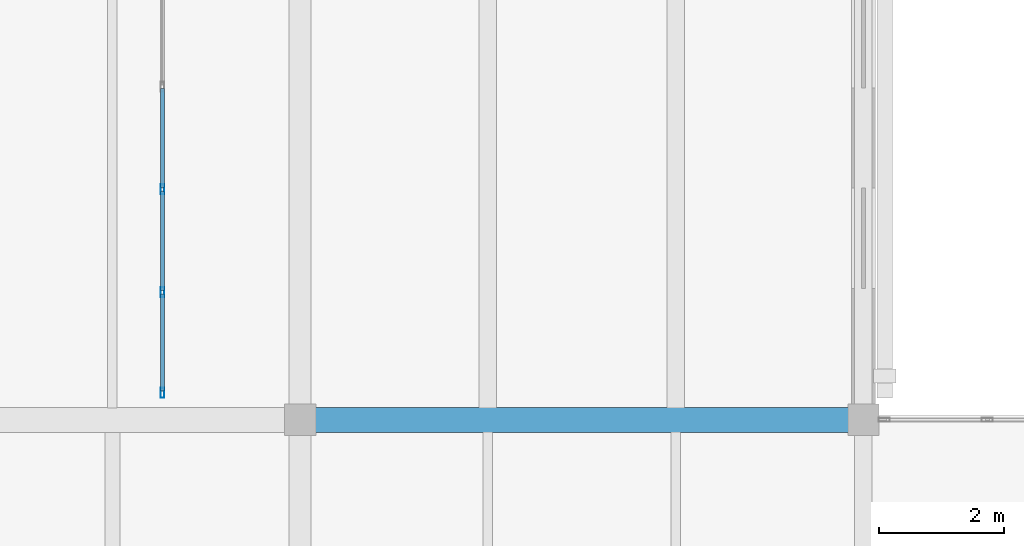
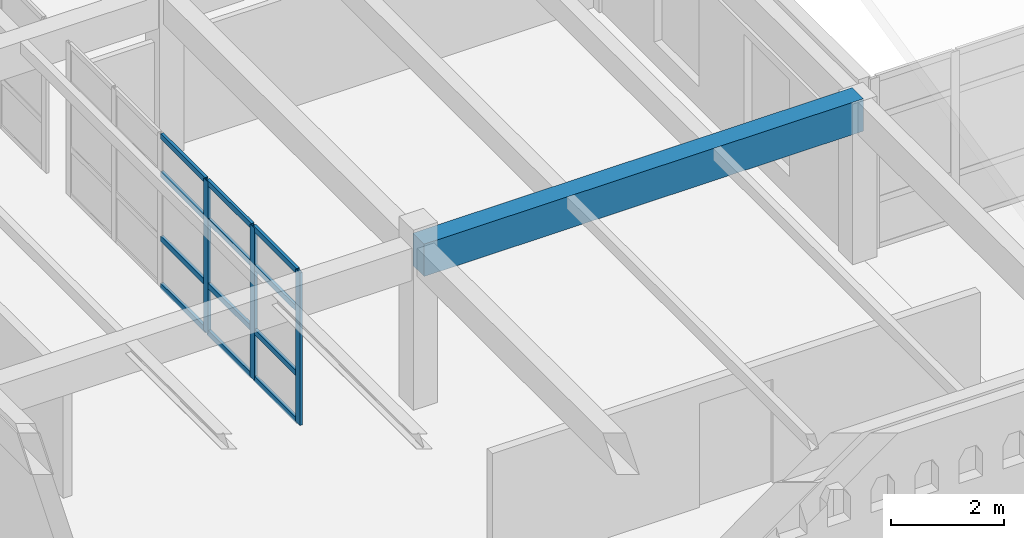
# One storey, part 6 of 156: 15 members, 1 beam, 1 element without a shape of its own.
"""IFC4 building model written with IfcOpenShell, lengths in metres."""

from ifc_helpers import new_model, si_unit, direction, frame, origin, origin_2d, place, context, subcontext, project, spatial, rectangle, hollow_rectangle, extrude, material, layer, layer_set, material_profile, profile_set, type_object, element, aggregate, save


model = new_model("IFC4")

# Units and contexts
model_context = context("Model", 3, precision=1e-05, world=origin(), true_north=direction((0.0, 1.0)))
body_context = subcontext(model_context, "Body", "Model", "MODEL_VIEW")
ifc_project = project(units=[si_unit("LENGTHUNIT", "METRE"), si_unit("AREAUNIT", "SQUARE_METRE"), si_unit("VOLUMEUNIT", "CUBIC_METRE"), si_unit("PLANEANGLEUNIT", "RADIAN"), si_unit("MASSUNIT", "GRAM", prefix="KILO")], contexts=[model_context])

# Site, building, storey
site_placement = place(None, origin())
site = spatial("IfcSite", under=ifc_project, at=site_placement, CompositionType="ELEMENT")
building_placement = place(site_placement, origin())
building = spatial("IfcBuilding", under=site, at=building_placement, Name="Ornek Quay Market", CompositionType="ELEMENT")
storey_placement = place(building_placement, frame((0.0, 0.0, 4.5)))
storey = spatial("IfcBuildingStorey", under=building, at=storey_placement, Name="L01", CompositionType="ELEMENT", Elevation=4.5)

# Beam
ifc_material_1 = material(Name="Concrete C35/45", Category="concrete")
ifc_material_profile_1 = material_profile(ifc_material_1, rectangle(XDim=0.39990234375, YDim=0.699951171875, at=origin_2d()), Name="RC 400x700", Category="concrete")
ifc_profile_set_1 = profile_set([ifc_material_profile_1], Name="Concrete C35/45")
beam_type = type_object("IfcBeamType", Name="BM-WW-400x700", PredefinedType="BEAM", material=ifc_profile_set_1)
beam_placement = place(storey_placement, frame((18.0, 29.0, 3.1298828125), z_axis=(1.0, 0.0, 0.0), x_axis=(0.0, 1.0, 0.0)))
element("IfcBeam", 1, at=beam_placement, inside=storey, type_object=beam_type, Name="Primary beam B-WW1-050", PredefinedType="BEAM", context=body_context, shape_type="SweptSolid", body=[
    extrude(rectangle(XDim=0.39990234375, YDim=0.699951171875, at=origin_2d()), origin(), (0.0, 0.0, 1.0), 9.0),
])

# Curtain wall, members
ifc_material_2 = material(Name="Anodised bronze aluminium and triple low-e glass", Category="aluminium")
ifc_layer = layer(ifc_material_2, 0.179931640625, Name="Anodised bronze aluminium and triple low-e glass", Category="aluminium")
ifc_layer_set = layer_set([ifc_layer], Name="Anodised bronze aluminium and triple low-e glass")
curtain_wall_type = type_object("IfcCurtainWallType", Name="CW-CONC-MOD1500", PredefinedType="USERDEFINED", material=ifc_layer_set)
curtain_wall_placement = place(storey_placement, origin())
curtain_wall = element("IfcCurtainWall", 2, at=curtain_wall_placement, inside=storey, type_object=curtain_wall_type, Name="Curtain wall CW-133", ObjectType="CURTAIN WALL", PredefinedType="USERDEFINED")
ifc_material_3 = material(Name="Anodised aluminium 6063-T6", Category="aluminium")
ifc_material_profile_2 = material_profile(ifc_material_3, hollow_rectangle(XDim=0.06005859375, YDim=0.159912109375, WallThickness=0.00390625, at=origin_2d()), Name="CW-MUL-60x160", Category="aluminium")
ifc_profile_set_2 = profile_set([ifc_material_profile_2], Name="Anodised aluminium 6063-T6")
member_type_1 = type_object("IfcMemberType", Name="CW-MUL-60x160", PredefinedType="MULLION", material=ifc_profile_set_2)
member_1_placement = place(storey_placement, frame((15.800048828125, 29.429931640625, 0.0), z_axis=(0.0, 0.0, 1.0), x_axis=(-1.0, 0.0, 0.0)))
member_1 = element("IfcMember", 3, at=member_1_placement, type_object=member_type_1, Name="CW-133 mullion 1", PredefinedType="MULLION", context=body_context, shape_type="SweptSolid", body=[
    extrude(hollow_rectangle(XDim=0.06005859375, YDim=0.159912109375, WallThickness=0.00390625, at=origin_2d()), origin(), (0.0, 0.0, 1.0), 3.300048828125),
])
member_2_placement = place(storey_placement, frame((15.800048828125, 31.0400390625, 0.0), z_axis=(0.0, 0.0, 1.0), x_axis=(-1.0, 0.0, 0.0)))
member_2 = element("IfcMember", 4, at=member_2_placement, type_object=member_type_1, Name="CW-133 mullion 2", PredefinedType="MULLION", context=body_context, shape_type="SweptSolid", body=[
    extrude(hollow_rectangle(XDim=0.06005859375, YDim=0.159912109375, WallThickness=0.00390625, at=origin_2d()), origin(), (0.0, 0.0, 1.0), 3.300048828125),
])
member_3_placement = place(storey_placement, frame((15.800048828125, 32.679931640625, 0.0), z_axis=(0.0, 0.0, 1.0), x_axis=(-1.0, 0.0, 0.0)))
member_3 = element("IfcMember", 5, at=member_3_placement, type_object=member_type_1, Name="CW-133 mullion 3", PredefinedType="MULLION", context=body_context, shape_type="SweptSolid", body=[
    extrude(hollow_rectangle(XDim=0.06005859375, YDim=0.159912109375, WallThickness=0.00390625, at=origin_2d()), origin(), (0.0, 0.0, 1.0), 3.300048828125),
])
ifc_material_profile_3 = material_profile(ifc_material_3, hollow_rectangle(XDim=0.06005859375, YDim=0.1201171875, WallThickness=0.00390625, at=origin_2d()), Name="CW-TRN-60x120", Category="aluminium")
ifc_profile_set_3 = profile_set([ifc_material_profile_3], Name="Anodised aluminium 6063-T6")
member_type_2 = type_object("IfcMemberType", Name="CW-TRN-60x120", PredefinedType="USERDEFINED", material=ifc_profile_set_3)
member_4_placement = place(storey_placement, frame((15.800048828125, 29.4599609375, 0.030029296875), z_axis=(0.0, 1.0, 0.0), x_axis=(-1.0, 0.0, 0.0)))
member_4 = element("IfcMember", 6, at=member_4_placement, type_object=member_type_2, Name="CW-133 transom 1.1", ObjectType="TRANSOM", PredefinedType="USERDEFINED", context=body_context, shape_type="SweptSolid", body=[
    extrude(hollow_rectangle(XDim=0.06005859375, YDim=0.1201171875, WallThickness=0.00390625, at=origin_2d()), origin(), (0.0, 0.0, 1.0), 1.550048828125),
])
member_5_placement = place(storey_placement, frame((15.800048828125, 29.4599609375, 1.050048828125), z_axis=(0.0, 1.0, 0.0), x_axis=(-1.0, 0.0, 0.0)))
member_5 = element("IfcMember", 7, at=member_5_placement, type_object=member_type_2, Name="CW-133 transom 1.2", ObjectType="TRANSOM", PredefinedType="USERDEFINED", context=body_context, shape_type="SweptSolid", body=[
    extrude(hollow_rectangle(XDim=0.06005859375, YDim=0.1201171875, WallThickness=0.00390625, at=origin_2d()), origin(), (0.0, 0.0, 1.0), 1.550048828125),
])
member_6_placement = place(storey_placement, frame((15.800048828125, 29.4599609375, 2.449951171875), z_axis=(0.0, 1.0, 0.0), x_axis=(-1.0, 0.0, 0.0)))
member_6 = element("IfcMember", 8, at=member_6_placement, type_object=member_type_2, Name="CW-133 transom 1.3", ObjectType="TRANSOM", PredefinedType="USERDEFINED", context=body_context, shape_type="SweptSolid", body=[
    extrude(hollow_rectangle(XDim=0.06005859375, YDim=0.1201171875, WallThickness=0.00390625, at=origin_2d()), origin(), (0.0, 0.0, 1.0), 1.550048828125),
])
member_7_placement = place(storey_placement, frame((15.800048828125, 29.4599609375, 3.27001953125), z_axis=(0.0, 1.0, 0.0), x_axis=(-1.0, 0.0, 0.0)))
member_7 = element("IfcMember", 9, at=member_7_placement, type_object=member_type_2, Name="CW-133 transom 1.4", ObjectType="TRANSOM", PredefinedType="USERDEFINED", context=body_context, shape_type="SweptSolid", body=[
    extrude(hollow_rectangle(XDim=0.06005859375, YDim=0.1201171875, WallThickness=0.00390625, at=origin_2d()), origin(), (0.0, 0.0, 1.0), 1.550048828125),
])
member_8_placement = place(storey_placement, frame((15.800048828125, 31.070068359375, 0.030029296875), z_axis=(0.0, 1.0, 0.0), x_axis=(-1.0, 0.0, 0.0)))
member_8 = element("IfcMember", 10, at=member_8_placement, type_object=member_type_2, Name="CW-133 transom 2.1", ObjectType="TRANSOM", PredefinedType="USERDEFINED", context=body_context, shape_type="SweptSolid", body=[
    extrude(hollow_rectangle(XDim=0.06005859375, YDim=0.1201171875, WallThickness=0.00390625, at=origin_2d()), origin(), (0.0, 0.0, 1.0), 1.579833984375),
])
member_9_placement = place(storey_placement, frame((15.800048828125, 31.070068359375, 1.050048828125), z_axis=(0.0, 1.0, 0.0), x_axis=(-1.0, 0.0, 0.0)))
member_9 = element("IfcMember", 11, at=member_9_placement, type_object=member_type_2, Name="CW-133 transom 2.2", ObjectType="TRANSOM", PredefinedType="USERDEFINED", context=body_context, shape_type="SweptSolid", body=[
    extrude(hollow_rectangle(XDim=0.06005859375, YDim=0.1201171875, WallThickness=0.00390625, at=origin_2d()), origin(), (0.0, 0.0, 1.0), 1.579833984375),
])
member_10_placement = place(storey_placement, frame((15.800048828125, 31.070068359375, 2.449951171875), z_axis=(0.0, 1.0, 0.0), x_axis=(-1.0, 0.0, 0.0)))
member_10 = element("IfcMember", 12, at=member_10_placement, type_object=member_type_2, Name="CW-133 transom 2.3", ObjectType="TRANSOM", PredefinedType="USERDEFINED", context=body_context, shape_type="SweptSolid", body=[
    extrude(hollow_rectangle(XDim=0.06005859375, YDim=0.1201171875, WallThickness=0.00390625, at=origin_2d()), origin(), (0.0, 0.0, 1.0), 1.579833984375),
])
member_11_placement = place(storey_placement, frame((15.800048828125, 31.070068359375, 3.27001953125), z_axis=(0.0, 1.0, 0.0), x_axis=(-1.0, 0.0, 0.0)))
member_11 = element("IfcMember", 13, at=member_11_placement, type_object=member_type_2, Name="CW-133 transom 2.4", ObjectType="TRANSOM", PredefinedType="USERDEFINED", context=body_context, shape_type="SweptSolid", body=[
    extrude(hollow_rectangle(XDim=0.06005859375, YDim=0.1201171875, WallThickness=0.00390625, at=origin_2d()), origin(), (0.0, 0.0, 1.0), 1.579833984375),
])
member_12_placement = place(storey_placement, frame((15.800048828125, 32.7099609375, 0.030029296875), z_axis=(0.0, 1.0, 0.0), x_axis=(-1.0, 0.0, 0.0)))
member_12 = element("IfcMember", 14, at=member_12_placement, type_object=member_type_2, Name="CW-133 transom 3.1", ObjectType="TRANSOM", PredefinedType="USERDEFINED", context=body_context, shape_type="SweptSolid", body=[
    extrude(hollow_rectangle(XDim=0.06005859375, YDim=0.1201171875, WallThickness=0.00390625, at=origin_2d()), origin(), (0.0, 0.0, 1.0), 1.580078125),
])
member_13_placement = place(storey_placement, frame((15.800048828125, 32.7099609375, 1.050048828125), z_axis=(0.0, 1.0, 0.0), x_axis=(-1.0, 0.0, 0.0)))
member_13 = element("IfcMember", 15, at=member_13_placement, type_object=member_type_2, Name="CW-133 transom 3.2", ObjectType="TRANSOM", PredefinedType="USERDEFINED", context=body_context, shape_type="SweptSolid", body=[
    extrude(hollow_rectangle(XDim=0.06005859375, YDim=0.1201171875, WallThickness=0.00390625, at=origin_2d()), origin(), (0.0, 0.0, 1.0), 1.580078125),
])
member_14_placement = place(storey_placement, frame((15.800048828125, 32.7099609375, 2.449951171875), z_axis=(0.0, 1.0, 0.0), x_axis=(-1.0, 0.0, 0.0)))
member_14 = element("IfcMember", 16, at=member_14_placement, type_object=member_type_2, Name="CW-133 transom 3.3", ObjectType="TRANSOM", PredefinedType="USERDEFINED", context=body_context, shape_type="SweptSolid", body=[
    extrude(hollow_rectangle(XDim=0.06005859375, YDim=0.1201171875, WallThickness=0.00390625, at=origin_2d()), origin(), (0.0, 0.0, 1.0), 1.580078125),
])
member_15_placement = place(storey_placement, frame((15.800048828125, 32.7099609375, 3.27001953125), z_axis=(0.0, 1.0, 0.0), x_axis=(-1.0, 0.0, 0.0)))
member_15 = element("IfcMember", 17, at=member_15_placement, type_object=member_type_2, Name="CW-133 transom 3.4", ObjectType="TRANSOM", PredefinedType="USERDEFINED", context=body_context, shape_type="SweptSolid", body=[
    extrude(hollow_rectangle(XDim=0.06005859375, YDim=0.1201171875, WallThickness=0.00390625, at=origin_2d()), origin(), (0.0, 0.0, 1.0), 1.580078125),
])
aggregate(curtain_wall, [member_1, member_2, member_3, member_4, member_5, member_6, member_7, member_8, member_9, member_10, member_11, member_12, member_13, member_14, member_15])

save(model, "model.ifc")
